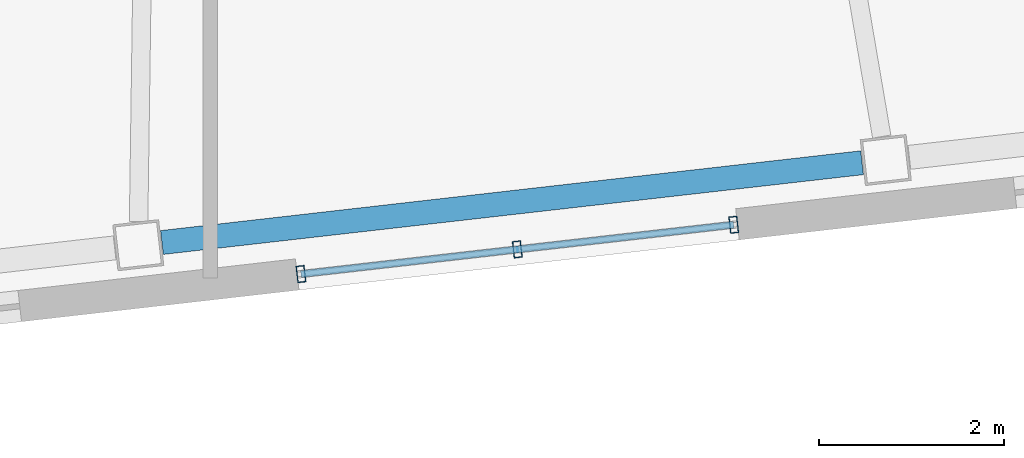
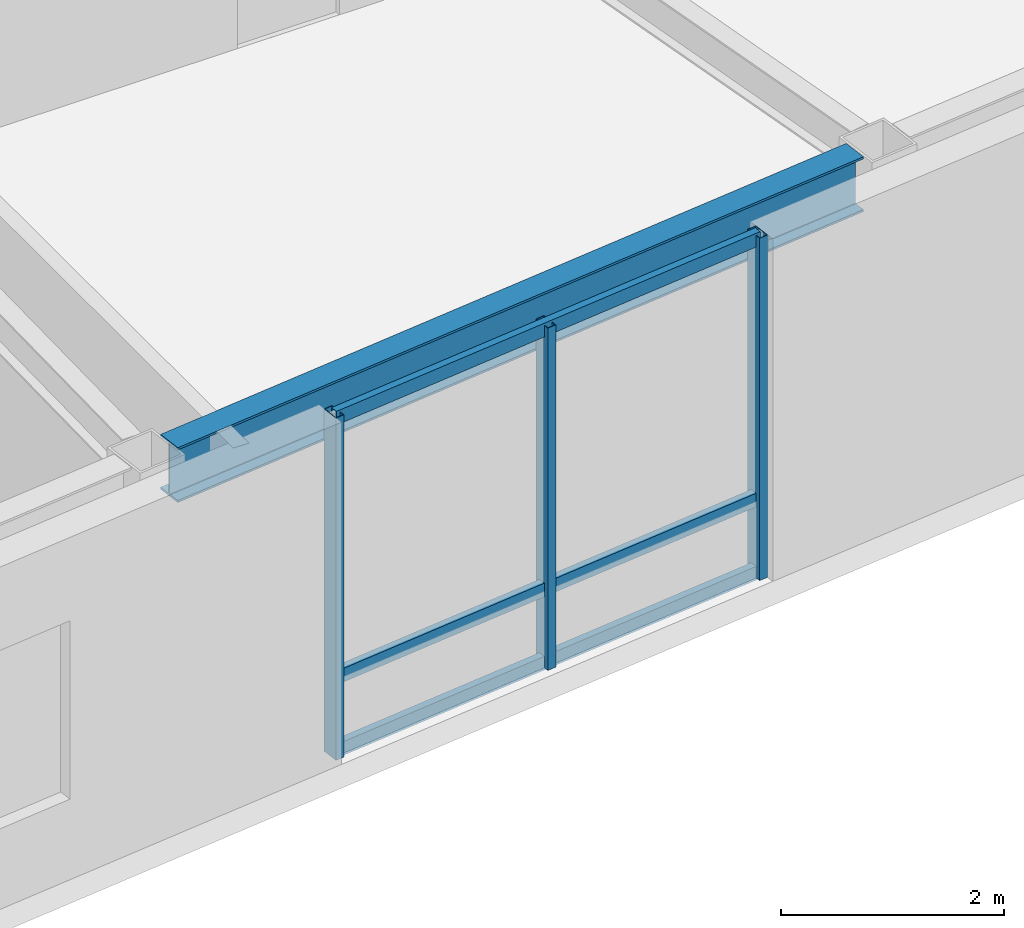
# One storey, part 8 of 19: 6 members, 1 beam, 1 element without a shape of its own.
"""IFC4 building model written with IfcOpenShell, lengths in metres."""

from ifc_helpers import new_model, si_unit, direction, frame, origin, origin_2d, place, context, subcontext, project, spatial, hollow_rectangle, i_section, extrude, material, layer, layer_set, material_profile, profile_set, type_object, element, aggregate, save


model = new_model("IFC4")

# Units and contexts
model_context = context("Model", 3, precision=1e-05, world=origin(), true_north=direction((0.0, 1.0)))
body_context = subcontext(model_context, "Body", "Model", "MODEL_VIEW")
ifc_project = project(units=[si_unit("LENGTHUNIT", "METRE"), si_unit("AREAUNIT", "SQUARE_METRE"), si_unit("VOLUMEUNIT", "CUBIC_METRE"), si_unit("PLANEANGLEUNIT", "RADIAN"), si_unit("MASSUNIT", "GRAM", prefix="KILO")], contexts=[model_context])

# Site, building, storey
site_placement = place(None, origin())
site = spatial("IfcSite", under=ifc_project, at=site_placement, CompositionType="ELEMENT")
building_placement = place(site_placement, origin())
building = spatial("IfcBuilding", under=site, at=building_placement, Name="Tavrogorsk Clinical Tower", CompositionType="ELEMENT")
storey_placement = place(building_placement, frame((0.0, 0.0, 243.0)))
storey = spatial("IfcBuildingStorey", under=building, at=storey_placement, Name="L56", CompositionType="ELEMENT", Elevation=243.0)

# Curtain wall, members
ifc_material_1 = material(Name="Anodised aluminium and triple IGU glazing", Category="aluminium")
ifc_layer = layer(ifc_material_1, 0.179931640625)
ifc_layer_set = layer_set([ifc_layer], Name="Anodised aluminium and triple IGU glazing")
curtain_wall_type = type_object("IfcCurtainWallType", Name="CW3_SouthSlot", PredefinedType="NOTDEFINED", material=ifc_layer_set)
curtain_wall_placement = place(storey_placement, origin())
curtain_wall = element("IfcCurtainWall", 1, at=curtain_wall_placement, inside=storey, type_object=curtain_wall_type, Name="L56 Curtain Wall CW-L56-S-SLOT-2", PredefinedType="NOTDEFINED")
ifc_material_2 = material(Name="Anodised aluminium alloy AW-6060", Category="aluminium")
ifc_material_profile_1 = material_profile(ifc_material_2, hollow_rectangle(XDim=0.090087890625, YDim=0.179931640625, WallThickness=0.00634765625, at=origin_2d()), Name="RHS-180x90x6.3")
ifc_profile_set_1 = profile_set([ifc_material_profile_1], Name="Anodised aluminium alloy AW-6060")
member_type_1 = type_object("IfcMemberType", Name="CwMullion_180x90", PredefinedType="MULLION", material=ifc_profile_set_1)
member_1_placement = place(storey_placement, frame((5.982177734375, -19.42529296875, 0.0), z_axis=(0.0, 0.0, 1.0), x_axis=(0.993571855603, 0.11320321441, 0.0)))
member_1 = element("IfcMember", 2, at=member_1_placement, type_object=member_type_1, Name="CW-L56-S-SLOT-2 Mullion 1", PredefinedType="MULLION", context=body_context, shape_type="SweptSolid", body=[
    extrude(hollow_rectangle(XDim=0.090087890625, YDim=0.179931640625, WallThickness=0.00634765625, at=origin_2d()), origin(), (0.0, 0.0, 1.0), 3.739990234375),
])
member_2_placement = place(storey_placement, frame((8.325927734375, -19.158203125, 0.0), z_axis=(0.0, 0.0, 1.0), x_axis=(0.993571855603, 0.11320321441, 0.0)))
member_2 = element("IfcMember", 3, at=member_2_placement, type_object=member_type_1, Name="CW-L56-S-SLOT-2 Mullion 2", PredefinedType="MULLION", context=body_context, shape_type="SweptSolid", body=[
    extrude(hollow_rectangle(XDim=0.090087890625, YDim=0.179931640625, WallThickness=0.00634765625, at=origin_2d()), origin(), (0.0, 0.0, 1.0), 3.739990234375),
])
member_3_placement = place(storey_placement, frame((10.669677734375, -18.89111328125, 0.0), z_axis=(0.0, 0.0, 1.0), x_axis=(0.993571855603, 0.11320321441, 0.0)))
member_3 = element("IfcMember", 4, at=member_3_placement, type_object=member_type_1, Name="CW-L56-S-SLOT-2 Mullion 3", PredefinedType="MULLION", context=body_context, shape_type="SweptSolid", body=[
    extrude(hollow_rectangle(XDim=0.090087890625, YDim=0.179931640625, WallThickness=0.00634765625, at=origin_2d()), origin(), (0.0, 0.0, 1.0), 3.739990234375),
])
ifc_material_3 = material(Name="Anodised aluminium alloy AW-6060", Category="aluminium")
ifc_material_profile_2 = material_profile(ifc_material_3, hollow_rectangle(XDim=0.074951171875, YDim=0.14990234375, WallThickness=0.0048828125, at=origin_2d()), Name="RHS-150x75x5")
ifc_profile_set_2 = profile_set([ifc_material_profile_2], Name="Anodised aluminium alloy AW-6060")
member_type_2 = type_object("IfcMemberType", Name="CwTransom_150x75", PredefinedType="USERDEFINED", material=ifc_profile_set_2)
member_4_placement = place(storey_placement, frame((5.982177734375, -19.42529296875, 0.050048828125), z_axis=(0.993569315854, 0.113225503286, 0.0), x_axis=(-0.113225503286, 0.993569315854, 0.0)))
member_4 = element("IfcMember", 5, at=member_4_placement, type_object=member_type_2, Name="CW-L56-S-SLOT-2 Transom 1", ObjectType="TRANSOM", PredefinedType="USERDEFINED", context=body_context, shape_type="SweptSolid", body=[
    extrude(hollow_rectangle(XDim=0.074951171875, YDim=0.14990234375, WallThickness=0.0048828125, at=origin_2d()), origin(), (0.0, 0.0, 1.0), 4.7177734375),
])
member_5_placement = place(storey_placement, frame((5.982177734375, -19.42529296875, 0.85009765625), z_axis=(0.993569315854, 0.113225503286, 0.0), x_axis=(-0.113225503286, 0.993569315854, 0.0)))
member_5 = element("IfcMember", 6, at=member_5_placement, type_object=member_type_2, Name="CW-L56-S-SLOT-2 Transom 2", ObjectType="TRANSOM", PredefinedType="USERDEFINED", context=body_context, shape_type="SweptSolid", body=[
    extrude(hollow_rectangle(XDim=0.074951171875, YDim=0.14990234375, WallThickness=0.0048828125, at=origin_2d()), origin(), (0.0, 0.0, 1.0), 4.7177734375),
])
member_6_placement = place(storey_placement, frame((5.982177734375, -19.42529296875, 3.68994140625), z_axis=(0.993569315854, 0.113225503286, 0.0), x_axis=(-0.113225503286, 0.993569315854, 0.0)))
member_6 = element("IfcMember", 7, at=member_6_placement, type_object=member_type_2, Name="CW-L56-S-SLOT-2 Transom 3", ObjectType="TRANSOM", PredefinedType="USERDEFINED", context=body_context, shape_type="SweptSolid", body=[
    extrude(hollow_rectangle(XDim=0.074951171875, YDim=0.14990234375, WallThickness=0.0048828125, at=origin_2d()), origin(), (0.0, 0.0, 1.0), 4.7177734375),
])
aggregate(curtain_wall, [member_1, member_2, member_3, member_4, member_5, member_6])

# Beam
ifc_material_4 = material(Name="Structural steel S390", Category="steel")
ifc_material_profile_3 = material_profile(ifc_material_4, i_section(OverallWidth=0.260009765625, OverallDepth=0.60009765625, WebThickness=0.014892578125, FlangeThickness=0.02392578125, at=origin_2d()), Name="B-600x260x15x24")
ifc_profile_set_3 = profile_set([ifc_material_profile_3], Name="Structural steel S390")
beam_type = type_object("IfcBeamType", Name="SpandrelBeam_B600", PredefinedType="SPANDREL", material=ifc_profile_set_3)
beam_placement = place(storey_placement, frame((4.476318359375, -19.08349609375, 3.43994140625), z_axis=(0.993572509708, 0.113197473259, 0.0), x_axis=(-0.113197473259, 0.993572509708, 0.0)))
element("IfcBeam", 8, at=beam_placement, inside=storey, type_object=beam_type, Name="L56 Perimeter Spandrel S5-S6", PredefinedType="SPANDREL", context=body_context, shape_type="SweptSolid", body=[
    extrude(i_section(OverallWidth=0.260009765625, OverallDepth=0.60009765625, WebThickness=0.014892578125, FlangeThickness=0.02392578125, at=origin_2d()), origin(), (0.0, 0.0, 1.0), 7.6328125),
])

save(model, "model.ifc")
